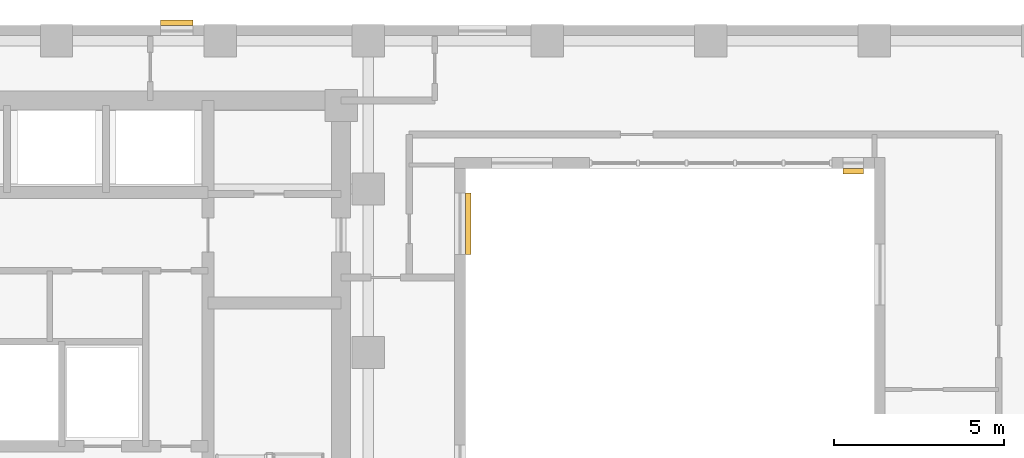
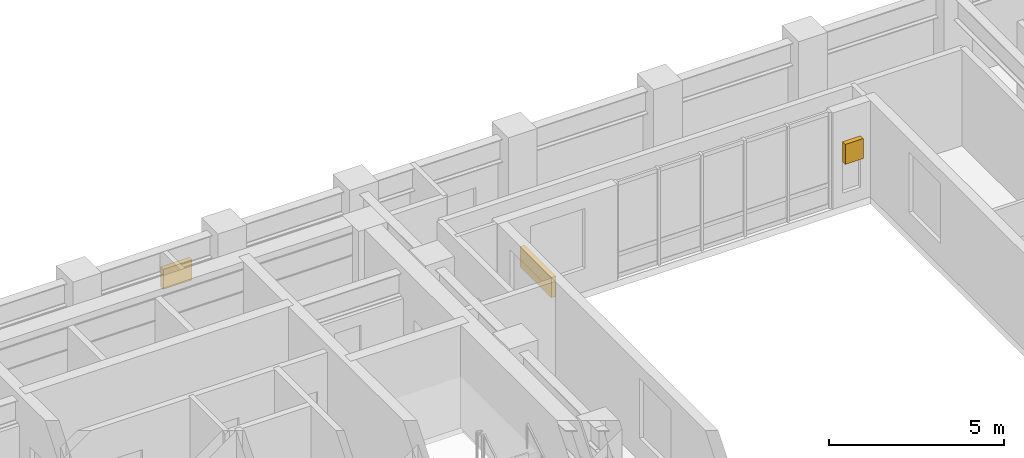
# One storey, part 11 of 11: 3 shading devices.
"""IFC4 building model written with IfcOpenShell, lengths in metres."""

from ifc_helpers import new_model, si_unit, direction, frame, origin, origin_2d, place, context, subcontext, project, spatial, rectangle, extrude, material, type_object, element, save


model = new_model("IFC4")

# Units and contexts
model_context = context("Model", 3, precision=1e-05, world=origin(), true_north=direction((0.0, 1.0)))
body_context = subcontext(model_context, "Body", "Model", "MODEL_VIEW")
ifc_project = project(units=[si_unit("LENGTHUNIT", "METRE"), si_unit("AREAUNIT", "SQUARE_METRE"), si_unit("VOLUMEUNIT", "CUBIC_METRE"), si_unit("PLANEANGLEUNIT", "RADIAN"), si_unit("MASSUNIT", "GRAM", prefix="KILO")], contexts=[model_context])

# Site, building, storey
site_placement = place(None, origin())
site = spatial("IfcSite", under=ifc_project, at=site_placement, CompositionType="ELEMENT")
building_placement = place(site_placement, origin())
building = spatial("IfcBuilding", under=site, at=building_placement, Name="Orvandelia Arch Residences", CompositionType="ELEMENT")
storey_placement = place(building_placement, frame((0.0, 0.0, 157.60009765625)))
storey = spatial("IfcBuildingStorey", under=building, at=storey_placement, Name="L41", CompositionType="ELEMENT", Elevation=157.60009765625)

# Shading devices
ifc_material = material(Name="Anodised Champagne-Bronze Extruded Aluminium", Category="aluminium")
shading_device_type = type_object("IfcShadingDeviceType", Name="SHD-JALOUSIE-SCREEN", PredefinedType="JALOUSIE", material=ifc_material)
shading_device_1_placement = place(storey_placement, frame((17.927490234375, 48.080078125, 1.5498046875), z_axis=(0.0, 0.0, 1.0), x_axis=(1.0, 0.0, 0.0)))
element("IfcShadingDevice", 1, at=shading_device_1_placement, inside=storey, type_object=shading_device_type, Name="Bronze Jalousie Sun-Shade L41-001", PredefinedType="JALOUSIE", context=body_context, shape_type="SweptSolid", body=[
    extrude(rectangle(XDim=0.949951171875, YDim=0.159912109375, at=origin_2d()), origin(), (0.0, 0.0, 1.0), 0.699951171875),
])
shading_device_2_placement = place(storey_placement, frame((37.780029296875, 43.719970703125, 1.5498046875), z_axis=(0.0, 0.0, 1.0), x_axis=(-1.0, 0.0, 0.0)))
element("IfcShadingDevice", 2, at=shading_device_2_placement, inside=storey, type_object=shading_device_type, Name="Bronze Jalousie Sun-Shade L41-004", PredefinedType="JALOUSIE", context=body_context, shape_type="SweptSolid", body=[
    extrude(rectangle(XDim=0.60009765625, YDim=0.159912109375, at=origin_2d()), origin(), (0.0, 0.0, 1.0), 0.699951171875),
])
shading_device_3_placement = place(storey_placement, frame((26.47998046875, 42.179931640625, 2.19970703125), z_axis=(0.0, 0.0, 1.0), x_axis=(0.0, -1.0, 0.0)))
element("IfcShadingDevice", 3, at=shading_device_3_placement, inside=storey, type_object=shading_device_type, Name="Bronze Jalousie Sun-Shade L41-005", PredefinedType="JALOUSIE", context=body_context, shape_type="SweptSolid", body=[
    extrude(rectangle(XDim=1.800048828125, YDim=0.159912109375, at=origin_2d()), origin(), (0.0, 0.0, 1.0), 0.699951171875),
])

save(model, "model.ifc")
